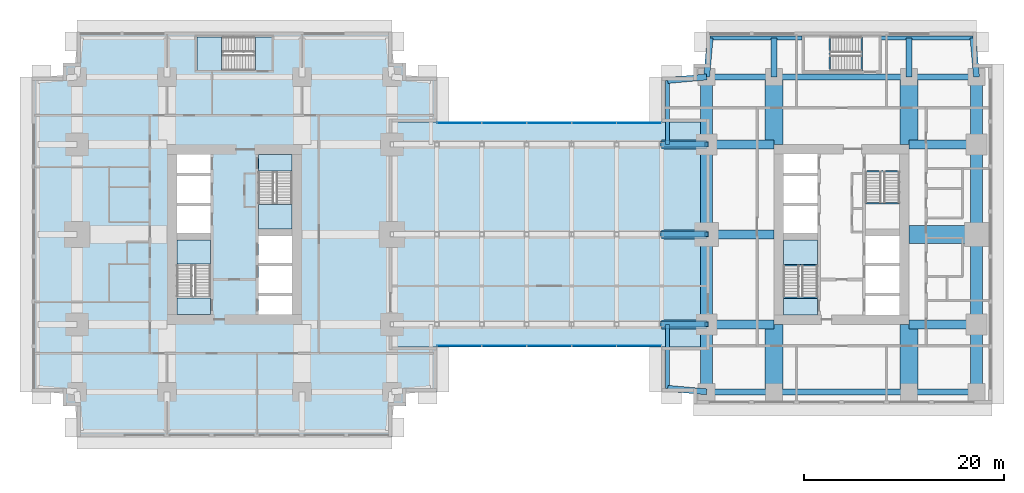
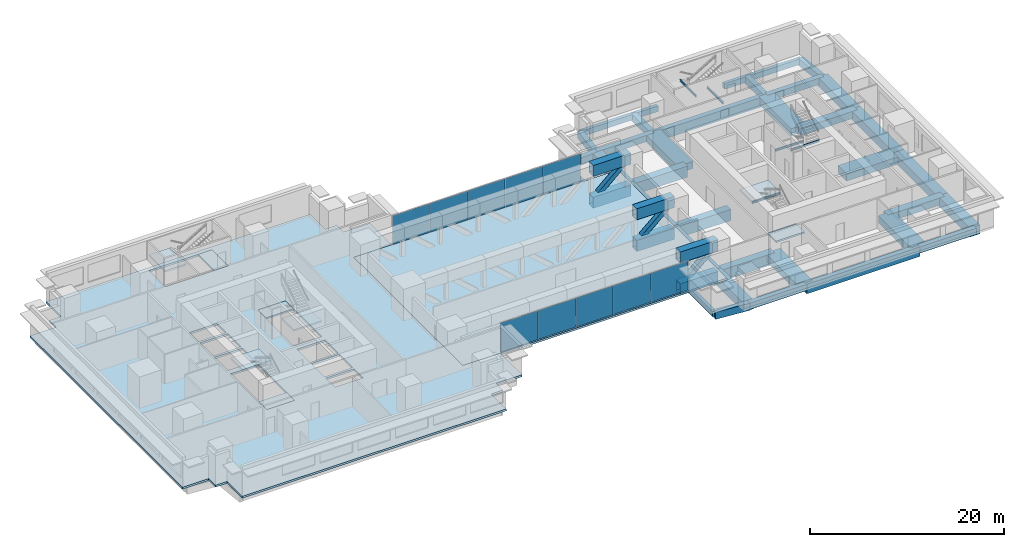
# One storey, part 5 of 15: 37 beams, 12 members, 10 plates, 10 slabs, 6 elements without a shape of their own.
"""IFC4 building model written with IfcOpenShell, lengths in metres."""

from ifc_helpers import new_model, si_unit, direction, frame, origin, origin_2d, place, context, subcontext, project, spatial, polyline, rectangle, hollow_rectangle, i_section, outline, extrude, material, layer, layer_set, material_profile, profile_set, type_object, element, aggregate, save


model = new_model("IFC4")

# Units and contexts
model_context = context("Model", 3, precision=1e-05, world=origin(), true_north=direction((0.0, 1.0)))
body_context = subcontext(model_context, "Body", "Model", "MODEL_VIEW")
ifc_project = project(units=[si_unit("LENGTHUNIT", "METRE"), si_unit("AREAUNIT", "SQUARE_METRE"), si_unit("VOLUMEUNIT", "CUBIC_METRE"), si_unit("PLANEANGLEUNIT", "RADIAN"), si_unit("MASSUNIT", "GRAM", prefix="KILO")], contexts=[model_context])

# Site, building, storey
site_placement = place(None, origin())
site = spatial("IfcSite", under=ifc_project, at=site_placement, CompositionType="ELEMENT")
building_placement = place(site_placement, origin())
building = spatial("IfcBuilding", under=site, at=building_placement, Name="Namib Vertical Campus", CompositionType="ELEMENT")
storey_placement = place(building_placement, frame((0.0, 0.0, 105.0)))
storey = spatial("IfcBuildingStorey", under=building, at=storey_placement, Name="L24", CompositionType="ELEMENT", Elevation=105.0)

# Beams
ifc_material_1 = material(Name="Concrete C40/50", Category="concrete")
ifc_material_profile_1 = material_profile(ifc_material_1, rectangle(XDim=0.60009765625, YDim=0.89990234375, at=origin_2d()))
ifc_profile_set_1 = profile_set([ifc_material_profile_1], Name="Concrete C40/50")
beam_type_1 = type_object("IfcBeamType", Name="Cantilever girder RC 600x900", PredefinedType="BEAM", material=ifc_profile_set_1)
beam_1_placement = place(storey_placement, frame((67.5, 36.0, -0.699951171875), z_axis=(0.089411326146, 0.995994786511, 0.0), x_axis=(-0.995994786511, 0.089411326146, 0.0)))
element("IfcBeam", 1, at=beam_1_placement, inside=storey, type_object=beam_type_1, Name="Beam B3 L24", PredefinedType="BEAM", context=body_context, shape_type="SweptSolid", body=[
    extrude(rectangle(XDim=0.60009765625, YDim=0.89990234375, at=origin_2d()), origin(), (0.0, 0.0, 1.0), 3.91552734375),
])
for number, where, z_axis, x_axis, name in (
    (2, (74.25, 36.0, -0.699951171875), (0.0, 1.0, 0.0), (-1.0, 0.0, 0.0), "Beam B3 L24"),
    (3, (87.75, 36.0, -0.699951171875), (0.0, 1.0, 0.0), (-1.0, 0.0, 0.0), "Beam B3 L24"),
):
    element("IfcBeam", number, at=place(storey_placement, frame(where, z_axis=z_axis, x_axis=x_axis)), inside=storey, type_object=beam_type_1, Name=name, PredefinedType="BEAM", context=body_context, shape_type="SweptSolid", body=[
        extrude(rectangle(XDim=0.60009765625, YDim=0.89990234375, at=origin_2d()), origin(), (0.0, 0.0, 1.0), 3.89990234375),
    ])
for number, where, z_axis, x_axis, name in (
    (4, (94.5, 36.0, -0.699951171875), (-0.089411326146, 0.995994786511, 0.0), (-0.995994786511, -0.089411326146, 0.0), "Beam B3 L24"),
    (5, (67.5, 4.5, -0.699951171875), (-0.995994786511, 0.089411326146, 0.0), (-0.089411326146, -0.995994786511, 0.0), "Beam B3 L24"),
    (6, (67.5, 36.0, -0.699951171875), (-0.995994786511, -0.089411326146, 0.0), (0.089411326146, -0.995994786511, 0.0), "Beam B3 L24"),
):
    element("IfcBeam", number, at=place(storey_placement, frame(where, z_axis=z_axis, x_axis=x_axis)), inside=storey, type_object=beam_type_1, Name=name, PredefinedType="BEAM", context=body_context, shape_type="SweptSolid", body=[
        extrude(rectangle(XDim=0.60009765625, YDim=0.89990234375, at=origin_2d()), origin(), (0.0, 0.0, 1.0), 3.91552734375),
    ])
ifc_material_2 = material(Name="Concrete C40/50", Category="concrete")
ifc_material_profile_2 = material_profile(ifc_material_2, rectangle(XDim=0.39990234375, YDim=0.699951171875, at=origin_2d()))
ifc_profile_set_2 = profile_set([ifc_material_profile_2], Name="Concrete C40/50")
beam_type_2 = type_object("IfcBeamType", Name="Edge beam RC 400x700", PredefinedType="SPANDREL", material=ifc_profile_set_2)
for number, where, z_axis, x_axis, name in (
    (7, (67.85009765625, 39.89990234375, -0.60009765625), (1.0, 0.0, 0.0), (0.0, 1.0, 0.0), "Beam B4 L24"),
    (8, (84.949951171875, 39.89990234375, -0.60009765625), (1.0, 0.0, 0.0), (0.0, 1.0, 0.0), "Beam B4 L24"),
):
    element("IfcBeam", number, at=place(storey_placement, frame(where, z_axis=z_axis, x_axis=x_axis)), inside=storey, type_object=beam_type_2, Name=name, PredefinedType="SPANDREL", context=body_context, shape_type="SweptSolid", body=[
        extrude(rectangle(XDim=0.39990234375, YDim=0.699951171875, at=origin_2d()), origin(), (0.0, 0.0, 1.0), 9.199951171875),
    ])
for number, where, z_axis, x_axis, name in (
    (9, (63.60009765625, 4.85009765625, -0.60009765625), (0.0, 1.0, 0.0), (-1.0, 0.0, 0.0), "Beam B4 L24"),
    (10, (63.60009765625, 29.25, -0.60009765625), (0.0, 1.0, 0.0), (-1.0, 0.0, 0.0), "Beam B4 L24"),
):
    element("IfcBeam", number, at=place(storey_placement, frame(where, z_axis=z_axis, x_axis=x_axis)), inside=storey, type_object=beam_type_2, Name=name, PredefinedType="SPANDREL", context=body_context, shape_type="SweptSolid", body=[
        extrude(rectangle(XDim=0.39990234375, YDim=0.699951171875, at=origin_2d()), origin(), (0.0, 0.0, 1.0), 6.39990234375),
    ])
ifc_material_3 = material(Name="Concrete C40/50", Category="concrete")
ifc_material_profile_3 = material_profile(ifc_material_3, rectangle(XDim=0.89990234375, YDim=0.89990234375, at=origin_2d()))
ifc_profile_set_3 = profile_set([ifc_material_profile_3], Name="Concrete C40/50")
beam_type_3 = type_object("IfcBeamType", Name="Face girder RC 900x900", PredefinedType="BEAM", material=ifc_profile_set_3)
for number, where, z_axis, x_axis, name in (
    (11, (94.5, 11.25, -0.699951171875), (-1.0, 0.0, 0.0), (0.0, -1.0, 0.0), "Beam B10 L24"),
    (12, (94.5, 29.25, -0.699951171875), (-1.0, 0.0, 0.0), (0.0, -1.0, 0.0), "Beam B10 L24"),
):
    element("IfcBeam", number, at=place(storey_placement, frame(where, z_axis=z_axis, x_axis=x_axis)), inside=storey, type_object=beam_type_3, Name=name, PredefinedType="BEAM", context=body_context, shape_type="SweptSolid", body=[
        extrude(rectangle(XDim=0.89990234375, YDim=0.89990234375, at=origin_2d()), origin(), (0.0, 0.0, 1.0), 6.75),
    ])
ifc_material_4 = material(Name="Concrete C40/50", Category="concrete")
ifc_material_profile_4 = material_profile(ifc_material_4, rectangle(XDim=1.199951171875, YDim=1.10009765625, at=origin_2d()))
ifc_profile_set_4 = profile_set([ifc_material_profile_4], Name="Concrete C40/50")
beam_type_4 = type_object("IfcBeamType", Name="Face ring beam RC 1200x1100", PredefinedType="BEAM", material=ifc_profile_set_4)
beam_2_placement = place(storey_placement, frame((67.5, 4.5, -0.800048828125), z_axis=(0.0, 1.0, 0.0), x_axis=(-1.0, 0.0, 0.0)))
element("IfcBeam", 13, at=beam_2_placement, inside=storey, type_object=beam_type_4, Name="Beam B11 L24", PredefinedType="BEAM", context=body_context, shape_type="SweptSolid", body=[
    extrude(rectangle(XDim=1.199951171875, YDim=1.10009765625, at=origin_2d()), origin(), (0.0, 0.0, 1.0), 6.75),
])
for number, where, z_axis, x_axis, name in (
    (14, (67.5, 11.25, -0.800048828125), (0.0, 1.0, 0.0), (-1.0, 0.0, 0.0), "Beam B11 L24"),
    (15, (67.5, 20.25, -0.800048828125), (0.0, 1.0, 0.0), (-1.0, 0.0, 0.0), "Beam B11 L24"),
):
    element("IfcBeam", number, at=place(storey_placement, frame(where, z_axis=z_axis, x_axis=x_axis)), inside=storey, type_object=beam_type_4, Name=name, PredefinedType="BEAM", context=body_context, shape_type="SweptSolid", body=[
        extrude(rectangle(XDim=1.199951171875, YDim=1.10009765625, at=origin_2d()), origin(), (0.0, 0.0, 1.0), 9.0),
    ])
for number, where, z_axis, x_axis, name in (
    (16, (67.5, 29.25, -0.800048828125), (0.0, 1.0, 0.0), (-1.0, 0.0, 0.0), "Beam B11 L24"),
    (17, (94.5, 4.5, -0.800048828125), (0.0, 1.0, 0.0), (-1.0, 0.0, 0.0), "Beam B11 L24"),
):
    element("IfcBeam", number, at=place(storey_placement, frame(where, z_axis=z_axis, x_axis=x_axis)), inside=storey, type_object=beam_type_4, Name=name, PredefinedType="BEAM", context=body_context, shape_type="SweptSolid", body=[
        extrude(rectangle(XDim=1.199951171875, YDim=1.10009765625, at=origin_2d()), origin(), (0.0, 0.0, 1.0), 6.75),
    ])
for number, where, z_axis, x_axis, name in (
    (18, (94.5, 11.25, -0.800048828125), (0.0, 1.0, 0.0), (-1.0, 0.0, 0.0), "Beam B11 L24"),
    (19, (94.5, 20.25, -0.800048828125), (0.0, 1.0, 0.0), (-1.0, 0.0, 0.0), "Beam B11 L24"),
):
    element("IfcBeam", number, at=place(storey_placement, frame(where, z_axis=z_axis, x_axis=x_axis)), inside=storey, type_object=beam_type_4, Name=name, PredefinedType="BEAM", context=body_context, shape_type="SweptSolid", body=[
        extrude(rectangle(XDim=1.199951171875, YDim=1.10009765625, at=origin_2d()), origin(), (0.0, 0.0, 1.0), 9.0),
    ])
beam_3_placement = place(storey_placement, frame((94.5, 29.25, -0.800048828125), z_axis=(0.0, 1.0, 0.0), x_axis=(-1.0, 0.0, 0.0)))
element("IfcBeam", 20, at=beam_3_placement, inside=storey, type_object=beam_type_4, Name="Beam B11 L24", PredefinedType="BEAM", context=body_context, shape_type="SweptSolid", body=[
    extrude(rectangle(XDim=1.199951171875, YDim=1.10009765625, at=origin_2d()), origin(), (0.0, 0.0, 1.0), 6.75),
])
ifc_material_5 = material(Name="Steel S355JR", Category="steel")
ifc_material_profile_5 = material_profile(ifc_material_5, i_section(OverallWidth=0.14599609375, OverallDepth=0.25146484375, WebThickness=0.006103515625, FlangeThickness=0.008544921875, FilletRadius=0.007568359375, at=origin_2d()))
ifc_profile_set_5 = profile_set([ifc_material_profile_5], Name="Steel S355JR")
beam_type_5 = type_object("IfcBeamType", Name="Landing trimmer UB 254x146x31", PredefinedType="BEAM", material=ifc_profile_set_5)
for number, where, z_axis, x_axis, name in (
    (21, (75.199951171875, 13.927001953125, -0.125732421875), (1.0, 0.0, 0.0), (0.0, 1.0, 0.0), "Landing trimmer LT1 B-S1 L24 1"),
    (22, (75.199951171875, 17.153076171875, 1.874267578125), (1.0, 0.0, 0.0), (0.0, 1.0, 0.0), "Landing trimmer LT1 B-S1 L24 2"),
    (23, (83.39990234375, 26.572998046875, -0.125732421875), (1.0, 0.0, 0.0), (0.0, 1.0, 0.0), "Landing trimmer LT1 B-S2 L24 1"),
    (24, (83.39990234375, 23.346923828125, 1.874267578125), (1.0, 0.0, 0.0), (0.0, 1.0, 0.0), "Landing trimmer LT1 B-S2 L24 2"),
):
    element("IfcBeam", number, at=place(storey_placement, frame(where, z_axis=z_axis, x_axis=x_axis)), inside=storey, type_object=beam_type_5, Name=name, PredefinedType="BEAM", context=body_context, shape_type="SweptSolid", body=[
        extrude(i_section(OverallWidth=0.14599609375, OverallDepth=0.25146484375, WebThickness=0.006103515625, FlangeThickness=0.008544921875, FilletRadius=0.007568359375, at=origin_2d()), origin(), (0.0, 0.0, 1.0), 3.400146484375),
    ])
for number, where, z_axis, x_axis, name in (
    (25, (83.02294921875, 36.60009765625, -0.125732421875), (0.0, 1.0, 0.0), (-1.0, 0.0, 0.0), "Landing trimmer LT1 B-S3 L24 1"),
    (26, (79.796875, 36.60009765625, 1.874267578125), (0.0, 1.0, 0.0), (-1.0, 0.0, 0.0), "Landing trimmer LT1 B-S3 L24 2"),
):
    element("IfcBeam", number, at=place(storey_placement, frame(where, z_axis=z_axis, x_axis=x_axis)), inside=storey, type_object=beam_type_5, Name=name, PredefinedType="BEAM", context=body_context, shape_type="SweptSolid", body=[
        extrude(i_section(OverallWidth=0.14599609375, OverallDepth=0.25146484375, WebThickness=0.006103515625, FlangeThickness=0.008544921875, FilletRadius=0.007568359375, at=origin_2d()), origin(), (0.0, 0.0, 1.0), 3.39990234375),
    ])
ifc_material_6 = material(Name="Concrete C40/50", Category="concrete")
ifc_material_profile_6 = material_profile(ifc_material_6, rectangle(XDim=0.60009765625, YDim=1.199951171875, at=origin_2d()))
ifc_profile_set_6 = profile_set([ifc_material_profile_6], Name="Concrete C40/50")
beam_type_6 = type_object("IfcBeamType", Name="Long-span ring beam RC 600x1200", PredefinedType="BEAM", material=ifc_profile_set_6)
for number, where, z_axis, x_axis, name in (
    (27, (74.25, 4.5, -0.85009765625), (1.0, 0.0, 0.0), (0.0, 1.0, 0.0), "Beam B9 L24"),
    (28, (74.25, 36.0, -0.85009765625), (1.0, 0.0, 0.0), (0.0, 1.0, 0.0), "Beam B9 L24"),
):
    element("IfcBeam", number, at=place(storey_placement, frame(where, z_axis=z_axis, x_axis=x_axis)), inside=storey, type_object=beam_type_6, Name=name, PredefinedType="BEAM", context=body_context, shape_type="SweptSolid", body=[
        extrude(rectangle(XDim=0.60009765625, YDim=1.199951171875, at=origin_2d()), origin(), (0.0, 0.0, 1.0), 13.5),
    ])
ifc_material_7 = material(Name="Concrete C40/50", Category="concrete")
ifc_material_profile_7 = material_profile(ifc_material_7, rectangle(XDim=1.800048828125, YDim=0.89990234375, at=origin_2d()))
ifc_profile_set_7 = profile_set([ifc_material_profile_7], Name="Concrete C40/50")
beam_type_7 = type_object("IfcBeamType", Name="Outrigger line girder RC 1800x900", PredefinedType="BEAM", material=ifc_profile_set_7)
for number, where, z_axis, x_axis, name in (
    (29, (74.25, 4.5, -0.699951171875), (0.0, 1.0, 0.0), (-1.0, 0.0, 0.0), "Beam B12 L24"),
    (30, (74.25, 36.0, -0.699951171875), (0.0, -1.0, 0.0), (1.0, 0.0, 0.0), "Beam B12 L24"),
    (31, (87.75, 4.5, -0.699951171875), (0.0, 1.0, 0.0), (-1.0, 0.0, 0.0), "Beam B12 L24"),
    (32, (87.75, 36.0, -0.699951171875), (0.0, -1.0, 0.0), (1.0, 0.0, 0.0), "Beam B12 L24"),
    (33, (94.5, 20.25, -0.699951171875), (-1.0, 0.0, 0.0), (0.0, -1.0, 0.0), "Beam B12 L24"),
):
    element("IfcBeam", number, at=place(storey_placement, frame(where, z_axis=z_axis, x_axis=x_axis)), inside=storey, type_object=beam_type_7, Name=name, PredefinedType="BEAM", context=body_context, shape_type="SweptSolid", body=[
        extrude(rectangle(XDim=1.800048828125, YDim=0.89990234375, at=origin_2d()), origin(), (0.0, 0.0, 1.0), 6.75),
    ])
ifc_material_8 = material(Name="Concrete C40/50", Category="concrete")
ifc_material_profile_8 = material_profile(ifc_material_8, rectangle(XDim=0.60009765625, YDim=0.800048828125, at=origin_2d()))
ifc_profile_set_8 = profile_set([ifc_material_profile_8], Name="Concrete C40/50")
beam_type_8 = type_object("IfcBeamType", Name="Ring beam RC 600x800", PredefinedType="BEAM", material=ifc_profile_set_8)
for number, where, z_axis, x_axis, name in (
    (34, (67.5, 4.5, -0.64990234375), (1.0, 0.0, 0.0), (0.0, 1.0, 0.0), "Beam B1 L24"),
    (35, (87.75, 4.5, -0.64990234375), (1.0, 0.0, 0.0), (0.0, 1.0, 0.0), "Beam B1 L24"),
    (36, (67.5, 36.0, -0.64990234375), (1.0, 0.0, 0.0), (0.0, 1.0, 0.0), "Beam B1 L24"),
    (37, (87.75, 36.0, -0.64990234375), (1.0, 0.0, 0.0), (0.0, 1.0, 0.0), "Beam B1 L24"),
):
    element("IfcBeam", number, at=place(storey_placement, frame(where, z_axis=z_axis, x_axis=x_axis)), inside=storey, type_object=beam_type_8, Name=name, PredefinedType="BEAM", context=body_context, shape_type="SweptSolid", body=[
        extrude(rectangle(XDim=0.60009765625, YDim=0.800048828125, at=origin_2d()), origin(), (0.0, 0.0, 1.0), 6.75),
    ])

# Members
ifc_material_9 = material(Name="Steel S355JR", Category="steel")
ifc_material_profile_9 = material_profile(ifc_material_9, hollow_rectangle(XDim=0.89990234375, YDim=1.39990234375, WallThickness=0.070068359375, at=origin_2d()))
ifc_profile_set_9 = profile_set([ifc_material_profile_9], Name="Steel S355JR")
member_type_1 = type_object("IfcMemberType", Name="Truss chord WB 1400x900x70", PredefinedType="CHORD", material=ifc_profile_set_9)
for number, where, z_axis, x_axis, name in (
    (38, (67.5, 11.25, -0.949951171875), (1.0, 0.0, 0.0), (0.0, 1.0, 0.0), "Transfer truss T1 anchor chord B bottom"),
    (39, (67.5, 20.25, -0.949951171875), (1.0, 0.0, 0.0), (0.0, 1.0, 0.0), "Transfer truss T2 anchor chord B bottom"),
    (40, (67.5, 29.25, -0.949951171875), (1.0, 0.0, 0.0), (0.0, 1.0, 0.0), "Transfer truss T3 anchor chord B bottom"),
):
    element("IfcMember", number, at=place(storey_placement, frame(where, z_axis=z_axis, x_axis=x_axis)), inside=storey, type_object=member_type_1, Name=name, PredefinedType="CHORD", context=body_context, shape_type="SweptSolid", body=[
        extrude(hollow_rectangle(XDim=0.89990234375, YDim=1.39990234375, WallThickness=0.070068359375, at=origin_2d()), origin(), (0.0, 0.0, 1.0), 6.75),
    ])
for number, where, z_axis, x_axis, name in (
    (41, (63.0, 11.25, -0.949951171875), (1.0, 0.0, 0.0), (0.0, 1.0, 0.0), "Transfer truss T1 bottom chord 7"),
    (42, (63.0, 11.25, 3.050048828125), (1.0, 0.0, 0.0), (0.0, 1.0, 0.0), "Transfer truss T1 top chord 7"),
    (43, (63.0, 20.25, -0.949951171875), (1.0, 0.0, 0.0), (0.0, 1.0, 0.0), "Transfer truss T2 bottom chord 7"),
    (44, (63.0, 20.25, 3.050048828125), (1.0, 0.0, 0.0), (0.0, 1.0, 0.0), "Transfer truss T2 top chord 7"),
    (45, (63.0, 29.25, -0.949951171875), (1.0, 0.0, 0.0), (0.0, 1.0, 0.0), "Transfer truss T3 bottom chord 7"),
    (46, (63.0, 29.25, 3.050048828125), (1.0, 0.0, 0.0), (0.0, 1.0, 0.0), "Transfer truss T3 top chord 7"),
):
    element("IfcMember", number, at=place(storey_placement, frame(where, z_axis=z_axis, x_axis=x_axis)), inside=storey, type_object=member_type_1, Name=name, PredefinedType="CHORD", context=body_context, shape_type="SweptSolid", body=[
        extrude(hollow_rectangle(XDim=0.89990234375, YDim=1.39990234375, WallThickness=0.070068359375, at=origin_2d()), origin(), (0.0, 0.0, 1.0), 4.5),
    ])
ifc_material_10 = material(Name="Steel S355JR", Category="steel")
ifc_material_profile_10 = material_profile(ifc_material_10, hollow_rectangle(XDim=0.550048828125, YDim=0.550048828125, WallThickness=0.0400390625, at=origin_2d()))
ifc_profile_set_10 = profile_set([ifc_material_profile_10], Name="Steel S355JR")
member_type_2 = type_object("IfcMemberType", Name="Truss diagonal WB 550x550x40", PredefinedType="BRACE", material=ifc_profile_set_10)
for number, where, z_axis, x_axis, name in (
    (47, (67.5, 11.25, 3.050048828125), (-0.747409318684, 0.0, -0.66436383883), (0.0, -1.0, 0.0), "Transfer truss T1 diagonal 7"),
    (48, (67.5, 20.25, 3.050048828125), (-0.747409318684, 0.0, -0.66436383883), (0.0, -1.0, 0.0), "Transfer truss T2 diagonal 7"),
    (49, (67.5, 29.25, 3.050048828125), (-0.747409318684, 0.0, -0.66436383883), (0.0, -1.0, 0.0), "Transfer truss T3 diagonal 7"),
):
    element("IfcMember", number, at=place(storey_placement, frame(where, z_axis=z_axis, x_axis=x_axis)), inside=storey, type_object=member_type_2, Name=name, PredefinedType="BRACE", context=body_context, shape_type="SweptSolid", body=[
        extrude(hollow_rectangle(XDim=0.550048828125, YDim=0.550048828125, WallThickness=0.0400390625, at=origin_2d()), origin(), (0.0, 0.0, 1.0), 6.020751953125),
    ])

# Curtain wall, plates
ifc_material_11 = material(Name="Black aluminium curtain wall", Category="aluminium")
ifc_layer_1 = layer(ifc_material_11, 0.199951171875)
ifc_layer_set_1 = layer_set([ifc_layer_1], Name="Bridge curtain wall CW-BR")
curtain_wall_type = type_object("IfcCurtainWallType", Name="Bridge curtain wall CW-BR", PredefinedType="USERDEFINED", material=ifc_layer_set_1)
curtain_wall_1_placement = place(storey_placement, origin())
curtain_wall_1 = element("IfcCurtainWall", 50, at=curtain_wall_1_placement, inside=storey, type_object=curtain_wall_type, Name="Curtain wall CW-BR L24 S", ObjectType="CURTAIN WALL", PredefinedType="USERDEFINED")
ifc_material_12 = material(Name="Dark tinted glass", Category="glass")
ifc_layer_2 = layer(ifc_material_12, 0.028076171875)
ifc_layer_set_2 = layer_set([ifc_layer_2], Name="Dark solar glass panel 28")
plate_type = type_object("IfcPlateType", Name="Dark solar glass panel 28", PredefinedType="CURTAIN_PANEL", material=ifc_layer_set_2)
plate_1_placement = place(storey_placement, frame((42.764892578125, 9.10009765625, 0.06005859375), z_axis=(0.0, 0.0, 1.0), x_axis=(1.0, 0.0, 0.0)))
plate_1 = element("IfcPlate", 51, at=plate_1_placement, type_object=plate_type, Name="CW-BR panel 1.1", PredefinedType="CURTAIN_PANEL", context=body_context, shape_type="SweptSolid", body=[
    extrude(rectangle(XDim=4.409912109375, YDim=0.028076171875, at=origin_2d()), origin(), (0.0, 0.0, 1.0), 3.6298828125),
])
plate_2_placement = place(storey_placement, frame((47.25, 9.10009765625, 0.06005859375), z_axis=(0.0, 0.0, 1.0), x_axis=(1.0, 0.0, 0.0)))
plate_2 = element("IfcPlate", 52, at=plate_2_placement, type_object=plate_type, Name="CW-BR panel 2.1", PredefinedType="CURTAIN_PANEL", context=body_context, shape_type="SweptSolid", body=[
    extrude(rectangle(XDim=4.43994140625, YDim=0.028076171875, at=origin_2d()), origin(), (0.0, 0.0, 1.0), 3.6298828125),
])
plate_3_placement = place(storey_placement, frame((51.75, 9.10009765625, 0.06005859375), z_axis=(0.0, 0.0, 1.0), x_axis=(1.0, 0.0, 0.0)))
plate_3 = element("IfcPlate", 53, at=plate_3_placement, type_object=plate_type, Name="CW-BR panel 3.1", PredefinedType="CURTAIN_PANEL", context=body_context, shape_type="SweptSolid", body=[
    extrude(rectangle(XDim=4.43994140625, YDim=0.028076171875, at=origin_2d()), origin(), (0.0, 0.0, 1.0), 3.6298828125),
])
plate_4_placement = place(storey_placement, frame((56.25, 9.10009765625, 0.06005859375), z_axis=(0.0, 0.0, 1.0), x_axis=(1.0, 0.0, 0.0)))
plate_4 = element("IfcPlate", 54, at=plate_4_placement, type_object=plate_type, Name="CW-BR panel 4.1", PredefinedType="CURTAIN_PANEL", context=body_context, shape_type="SweptSolid", body=[
    extrude(rectangle(XDim=4.43994140625, YDim=0.028076171875, at=origin_2d()), origin(), (0.0, 0.0, 1.0), 3.6298828125),
])
plate_5_placement = place(storey_placement, frame((60.735107421875, 9.10009765625, 0.06005859375), z_axis=(0.0, 0.0, 1.0), x_axis=(1.0, 0.0, 0.0)))
plate_5 = element("IfcPlate", 55, at=plate_5_placement, type_object=plate_type, Name="CW-BR panel 5.1", PredefinedType="CURTAIN_PANEL", context=body_context, shape_type="SweptSolid", body=[
    extrude(rectangle(XDim=4.409912109375, YDim=0.028076171875, at=origin_2d()), origin(), (0.0, 0.0, 1.0), 3.6298828125),
])
aggregate(curtain_wall_1, [plate_1, plate_2, plate_3, plate_4, plate_5])

curtain_wall_2_placement = place(storey_placement, origin())
curtain_wall_2 = element("IfcCurtainWall", 56, at=curtain_wall_2_placement, inside=storey, type_object=curtain_wall_type, Name="Curtain wall CW-BR L24 N", ObjectType="CURTAIN WALL", PredefinedType="USERDEFINED")
plate_6_placement = place(storey_placement, frame((60.735107421875, 31.39990234375, 0.06005859375), z_axis=(0.0, 0.0, 1.0), x_axis=(-1.0, 0.0, 0.0)))
plate_6 = element("IfcPlate", 57, at=plate_6_placement, type_object=plate_type, Name="CW-BR panel 1.1", PredefinedType="CURTAIN_PANEL", context=body_context, shape_type="SweptSolid", body=[
    extrude(rectangle(XDim=4.409912109375, YDim=0.028076171875, at=origin_2d()), origin(), (0.0, 0.0, 1.0), 3.6298828125),
])
plate_7_placement = place(storey_placement, frame((56.25, 31.39990234375, 0.06005859375), z_axis=(0.0, 0.0, 1.0), x_axis=(-1.0, 0.0, 0.0)))
plate_7 = element("IfcPlate", 58, at=plate_7_placement, type_object=plate_type, Name="CW-BR panel 2.1", PredefinedType="CURTAIN_PANEL", context=body_context, shape_type="SweptSolid", body=[
    extrude(rectangle(XDim=4.43994140625, YDim=0.028076171875, at=origin_2d()), origin(), (0.0, 0.0, 1.0), 3.6298828125),
])
plate_8_placement = place(storey_placement, frame((51.75, 31.39990234375, 0.06005859375), z_axis=(0.0, 0.0, 1.0), x_axis=(-1.0, 0.0, 0.0)))
plate_8 = element("IfcPlate", 59, at=plate_8_placement, type_object=plate_type, Name="CW-BR panel 3.1", PredefinedType="CURTAIN_PANEL", context=body_context, shape_type="SweptSolid", body=[
    extrude(rectangle(XDim=4.43994140625, YDim=0.028076171875, at=origin_2d()), origin(), (0.0, 0.0, 1.0), 3.6298828125),
])
plate_9_placement = place(storey_placement, frame((47.25, 31.39990234375, 0.06005859375), z_axis=(0.0, 0.0, 1.0), x_axis=(-1.0, 0.0, 0.0)))
plate_9 = element("IfcPlate", 60, at=plate_9_placement, type_object=plate_type, Name="CW-BR panel 4.1", PredefinedType="CURTAIN_PANEL", context=body_context, shape_type="SweptSolid", body=[
    extrude(rectangle(XDim=4.43994140625, YDim=0.028076171875, at=origin_2d()), origin(), (0.0, 0.0, 1.0), 3.6298828125),
])
plate_10_placement = place(storey_placement, frame((42.764892578125, 31.39990234375, 0.06005859375), z_axis=(0.0, 0.0, 1.0), x_axis=(-1.0, 0.0, 0.0)))
plate_10 = element("IfcPlate", 61, at=plate_10_placement, type_object=plate_type, Name="CW-BR panel 5.1", PredefinedType="CURTAIN_PANEL", context=body_context, shape_type="SweptSolid", body=[
    extrude(rectangle(XDim=4.409912109375, YDim=0.028076171875, at=origin_2d()), origin(), (0.0, 0.0, 1.0), 3.6298828125),
])
aggregate(curtain_wall_2, [plate_6, plate_7, plate_8, plate_9, plate_10])

# Slabs
ifc_material_13 = material(Name="Concrete C40/50", Category="concrete")
ifc_layer_3 = layer(ifc_material_13, 0.25)
ifc_layer_set_3 = layer_set([ifc_layer_3], Name="Concrete C40/50")
slab_type_1 = type_object("IfcSlabType", Name="Floor slab 250", PredefinedType="FLOOR", material=ifc_layer_set_3)
slab_1_placement = place(storey_placement, frame((0.0, 0.0, -0.25)))
element("IfcSlab", 62, at=slab_1_placement, inside=storey, type_object=slab_type_1, Name="Floor slab A L24", PredefinedType="FLOOR", context=body_context, shape_type="SweptSolid", body=[
    extrude(outline(polyline([(4.5, 3.10009765625), (4.5, 0.0), (36.0, 0.0), (36.0, 3.10009765625), (37.39990234375, 3.10009765625), (37.39990234375, 4.5), (40.5, 4.5), (40.5, 9.0), (36.0, 9.0), (36.0, 31.5), (40.5, 31.5), (40.5, 36.0), (37.39990234375, 36.0), (37.39990234375, 37.39990234375), (36.0, 37.39990234375), (36.0, 40.5), (4.5, 40.5), (4.5, 37.39990234375), (3.10009765625, 37.39990234375), (3.10009765625, 36.0), (0.0, 36.0), (0.0, 4.5), (3.10009765625, 4.5), (3.10009765625, 3.10009765625), (4.5, 3.10009765625)]), holes=[polyline([(14.5, 12.25), (17.85009765625, 12.25), (17.85009765625, 19.699951171875), (14.5, 19.699951171875), (14.5, 12.25)]), polyline([(22.64990234375, 20.800048828125), (26.0, 20.800048828125), (26.0, 28.25), (22.64990234375, 28.25), (22.64990234375, 20.800048828125)]), polyline([(22.64990234375, 12.25), (26.0, 12.25), (26.0, 14.10009765625), (22.64990234375, 14.10009765625), (22.64990234375, 12.25)]), polyline([(14.5, 20.39990234375), (17.85009765625, 20.39990234375), (17.85009765625, 23.10009765625), (14.5, 23.10009765625), (14.5, 20.39990234375)]), polyline([(14.5, 23.39990234375), (17.85009765625, 23.39990234375), (17.85009765625, 26.10009765625), (14.5, 26.10009765625), (14.5, 23.39990234375)]), polyline([(14.5, 26.39990234375), (17.85009765625, 26.39990234375), (17.85009765625, 28.25), (14.5, 28.25), (14.5, 26.39990234375)]), polyline([(22.64990234375, 14.39990234375), (26.0, 14.39990234375), (26.0, 17.10009765625), (22.64990234375, 17.10009765625), (22.64990234375, 14.39990234375)]), polyline([(22.64990234375, 17.39990234375), (26.0, 17.39990234375), (26.0, 20.10009765625), (22.64990234375, 20.10009765625), (22.64990234375, 17.39990234375)]), polyline([(16.5, 36.64990234375), (24.0, 36.64990234375), (24.0, 40.0), (16.5, 40.0), (16.5, 36.64990234375)])]), origin(), (0.0, 0.0, 1.0), 0.25),
])
slab_2_placement = place(storey_placement, frame((0.0, 0.0, -0.25)))
element("IfcSlab", 63, at=slab_2_placement, inside=storey, type_object=slab_type_1, Name="Bridge floor L24", PredefinedType="FLOOR", context=body_context, shape_type="SweptSolid", body=[
    extrude(outline(polyline([(36.0, 9.0), (67.5, 9.0), (67.5, 31.5), (36.0, 31.5), (36.0, 9.0)])), origin(), (0.0, 0.0, 1.0), 0.25),
])

# Stair, slabs
ifc_material_14 = material(Name="Concrete C40/50 precast", Category="concrete")
stair_type_1 = type_object("IfcStairType", Name="Exit stair 4000 rise 24 risers 3350 wide", PredefinedType="HALF_TURN_STAIR", material=ifc_material_14)
stair_1_placement = place(storey_placement, origin())
stair_1 = element("IfcStair", 64, at=stair_1_placement, inside=storey, type_object=stair_type_1, Name="Exit stair A-S1 L24", PredefinedType="HALF_TURN_STAIR")
ifc_material_15 = material(Name="Concrete C40/50", Category="concrete")
ifc_layer_4 = layer(ifc_material_15, 0.199951171875)
ifc_layer_set_4 = layer_set([ifc_layer_4], Name="Concrete C40/50")
slab_type_2 = type_object("IfcSlabType", Name="Stair landing 200", PredefinedType="LANDING", material=ifc_layer_set_4)
slab_3_placement = place(storey_placement, frame((0.0, 0.0, -0.199951171875)))
slab_3 = element("IfcSlab", 65, at=slab_3_placement, type_object=slab_type_2, Name="A-S1 landing 1", PredefinedType="LANDING", context=body_context, shape_type="SweptSolid", body=[
    extrude(outline(polyline([(14.5, 12.25), (17.85009765625, 12.25), (17.85009765625, 13.90380859375), (14.5, 13.90380859375), (14.5, 12.25)])), origin(), (0.0, 0.0, 1.0), 0.199951171875),
])
slab_4_placement = place(storey_placement, frame((0.0, 0.0, 1.800048828125)))
slab_4 = element("IfcSlab", 66, at=slab_4_placement, type_object=slab_type_2, Name="A-S1 landing 2", PredefinedType="LANDING", context=body_context, shape_type="SweptSolid", body=[
    extrude(outline(polyline([(14.5, 17.276123046875), (17.85009765625, 17.276123046875), (17.85009765625, 19.699951171875), (14.5, 19.699951171875), (14.5, 17.276123046875)])), origin(), (0.0, 0.0, 1.0), 0.199951171875),
])
aggregate(stair_1, [slab_3, slab_4])

stair_2_placement = place(storey_placement, origin())
stair_2 = element("IfcStair", 67, at=stair_2_placement, inside=storey, type_object=stair_type_1, Name="Exit stair A-S2 L24", PredefinedType="HALF_TURN_STAIR")
slab_5_placement = place(storey_placement, frame((0.0, 0.0, -0.199951171875)))
slab_5 = element("IfcSlab", 68, at=slab_5_placement, type_object=slab_type_2, Name="A-S2 landing 1", PredefinedType="LANDING", context=body_context, shape_type="SweptSolid", body=[
    extrude(outline(polyline([(22.64990234375, 26.59619140625), (26.0, 26.59619140625), (26.0, 28.25), (22.64990234375, 28.25), (22.64990234375, 26.59619140625)])), origin(), (0.0, 0.0, 1.0), 0.199951171875),
])
slab_6_placement = place(storey_placement, frame((0.0, 0.0, 1.800048828125)))
slab_6 = element("IfcSlab", 69, at=slab_6_placement, type_object=slab_type_2, Name="A-S2 landing 2", PredefinedType="LANDING", context=body_context, shape_type="SweptSolid", body=[
    extrude(outline(polyline([(22.64990234375, 20.800048828125), (26.0, 20.800048828125), (26.0, 23.223876953125), (22.64990234375, 23.223876953125), (22.64990234375, 20.800048828125)])), origin(), (0.0, 0.0, 1.0), 0.199951171875),
])
aggregate(stair_2, [slab_5, slab_6])

ifc_material_16 = material(Name="Concrete C40/50 precast", Category="concrete")
stair_type_2 = type_object("IfcStairType", Name="Exit stair 4000 rise 24 risers 3400 wide", PredefinedType="HALF_TURN_STAIR", material=ifc_material_16)
stair_3_placement = place(storey_placement, origin())
stair_3 = element("IfcStair", 70, at=stair_3_placement, inside=storey, type_object=stair_type_2, Name="Exit stair B-S1 L24", PredefinedType="HALF_TURN_STAIR")
slab_7_placement = place(storey_placement, frame((0.0, 0.0, -0.199951171875)))
slab_7 = element("IfcSlab", 71, at=slab_7_placement, type_object=slab_type_2, Name="B-S1 landing 1", PredefinedType="LANDING", context=body_context, shape_type="SweptSolid", body=[
    extrude(outline(polyline([(75.199951171875, 12.199951171875), (78.60009765625, 12.199951171875), (78.60009765625, 13.85400390625), (75.199951171875, 13.85400390625), (75.199951171875, 12.199951171875)])), origin(), (0.0, 0.0, 1.0), 0.199951171875),
])
slab_8_placement = place(storey_placement, frame((0.0, 0.0, 1.800048828125)))
slab_8 = element("IfcSlab", 72, at=slab_8_placement, type_object=slab_type_2, Name="B-S1 landing 2", PredefinedType="LANDING", context=body_context, shape_type="SweptSolid", body=[
    extrude(outline(polyline([(75.199951171875, 17.22607421875), (78.60009765625, 17.22607421875), (78.60009765625, 19.699951171875), (75.199951171875, 19.699951171875), (75.199951171875, 17.22607421875)])), origin(), (0.0, 0.0, 1.0), 0.199951171875),
])
aggregate(stair_3, [slab_7, slab_8])

stair_4_placement = place(storey_placement, origin())
stair_4 = element("IfcStair", 73, at=stair_4_placement, inside=storey, type_object=stair_type_1, Name="Exit stair A-S3 L24", PredefinedType="HALF_TURN_STAIR")
slab_9_placement = place(storey_placement, frame((0.0, 0.0, -0.199951171875)))
slab_9 = element("IfcSlab", 74, at=slab_9_placement, type_object=slab_type_2, Name="A-S3 landing 1", PredefinedType="LANDING", context=body_context, shape_type="SweptSolid", body=[
    extrude(outline(polyline([(22.34619140625, 36.64990234375), (22.34619140625, 40.0), (24.0, 40.0), (24.0, 36.64990234375), (22.34619140625, 36.64990234375)])), origin(), (0.0, 0.0, 1.0), 0.199951171875),
])
slab_10_placement = place(storey_placement, frame((0.0, 0.0, 1.800048828125)))
slab_10 = element("IfcSlab", 75, at=slab_10_placement, type_object=slab_type_2, Name="A-S3 landing 2", PredefinedType="LANDING", context=body_context, shape_type="SweptSolid", body=[
    extrude(outline(polyline([(16.5, 36.64990234375), (16.5, 40.0), (18.973876953125, 40.0), (18.973876953125, 36.64990234375), (16.5, 36.64990234375)])), origin(), (0.0, 0.0, 1.0), 0.199951171875),
])
aggregate(stair_4, [slab_9, slab_10])

save(model, "model.ifc")
